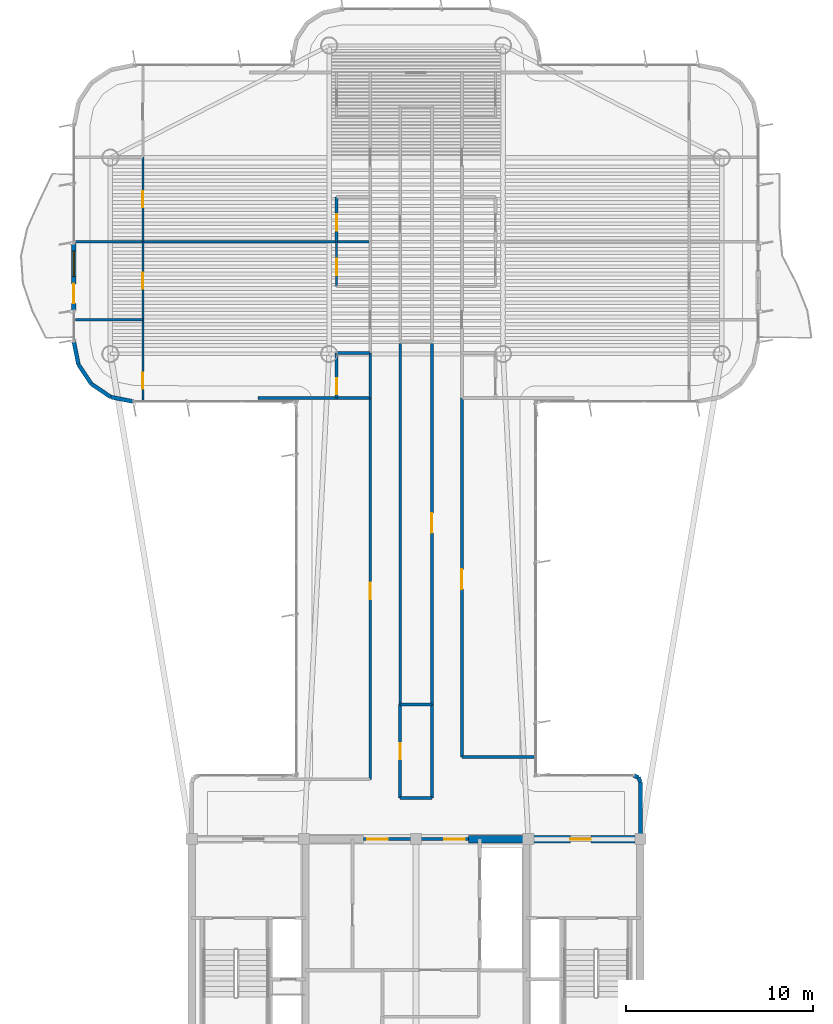
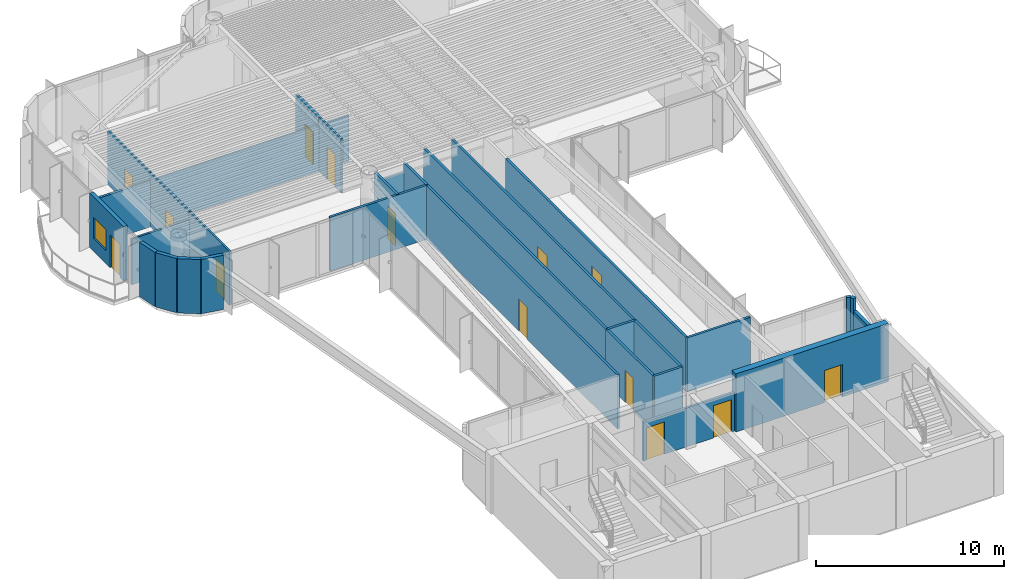
# One storey, part 11 of 16: 30 walls, 14 doors, 1 window, 15 openings.
"""IFC4 building model written with IfcOpenShell, lengths in metres."""

from ifc_helpers import new_model, si_unit, direction, frame, frame_2d, origin, origin_2d, place, context, subcontext, project, spatial, rectangle, extrude, source, transform, mapped, material, layer, layer_set, type_object, element, fill, save


model = new_model("IFC4")

# Units and contexts
model_context = context("Model", 3, precision=1e-05, world=origin(), true_north=direction((0.0, 1.0)))
body_context = subcontext(model_context, "Body", "Model", "MODEL_VIEW")
ifc_project = project(units=[si_unit("LENGTHUNIT", "METRE"), si_unit("AREAUNIT", "SQUARE_METRE"), si_unit("VOLUMEUNIT", "CUBIC_METRE"), si_unit("PLANEANGLEUNIT", "RADIAN"), si_unit("MASSUNIT", "GRAM", prefix="KILO")], contexts=[model_context])

# Site, building, storey
site_placement = place(None, origin())
site = spatial("IfcSite", under=ifc_project, at=site_placement, CompositionType="ELEMENT")
building_placement = place(site_placement, origin())
building = spatial("IfcBuilding", under=site, at=building_placement, Name="Brelvock Crest Care Tower", CompositionType="ELEMENT")
storey_placement = place(building_placement, frame((0.0, 0.0, 230.580078125)))
storey = spatial("IfcBuildingStorey", under=building, at=storey_placement, Name="L58", CompositionType="ELEMENT", Elevation=230.580078125)

# Wall, opening, door
ifc_material_1 = material(Name="Concrete S65 (65 MPa)", Category="concrete")
ifc_layer_1 = layer(ifc_material_1, 0.39990234375, Name="WL-CS4")
ifc_layer_set_1 = layer_set([ifc_layer_1], Name="Concrete S65 (65 MPa)")
wall_type_1 = type_object("IfcWallType", Name="WL-CS4", PredefinedType="SHEAR", material=ifc_layer_set_1)
wall_1_placement = place(storey_placement, frame((38.800048828125, 18.0, 0.0), z_axis=(0.0, 0.0, 1.0), x_axis=(1.0, 0.0, 0.0)))
wall_1 = element("IfcWall", 1, at=wall_1_placement, inside=storey, type_object=wall_type_1, Name="L58 Core North-East Shear Wall", PredefinedType="SHEAR", context=body_context, shape_type="SweptSolid", body=[
    extrude(rectangle(XDim=9.39990234375, YDim=0.39990234375, at=frame_2d((4.699951171875, 0.0))), origin(), (0.0, 0.0, 1.0), 3.780029296875),
])
opening_1_placement = place(wall_1_placement, frame((5.449951171875, 0.0, 0.0)))
opening_1 = element("IfcOpeningElement", 2, at=opening_1_placement, cuts=wall_1, Name="Opening FD-1", PredefinedType="OPENING", context=body_context, shape_type="SweptSolid", body=[
    extrude(rectangle(XDim=1.10009765625, YDim=2.10009765625, at=origin_2d()), frame((0.550048828125, 0.2099609375, 1.050048828125), z_axis=(0.0, -1.0, 0.0), x_axis=(1.0, 0.0, 0.0)), (0.0, 0.0, 1.0), 0.419921875),
])
ifc_material_2 = material(Name="Steel Grade 350", Category="steel")
door_type_1 = type_object("IfcDoorType", Name="DR-FFL1", OperationType="NOTDEFINED", PredefinedType="DOOR", material=ifc_material_2)
shared_shape_1 = source(origin(), body_context, "Body", "SweptSolid", [
    extrude(rectangle(XDim=1.10009765625, YDim=2.10009765625, at=origin_2d()), frame((0.550048828125, 0.02490234375, 1.050048828125), z_axis=(0.0, -1.0, 0.0), x_axis=(1.0, 0.0, 0.0)), (0.0, 0.0, 1.0), 0.050048828125),
])
door_1_placement = place(opening_1_placement, origin())
door_1 = element("IfcDoor", 3, at=door_1_placement, inside=storey, type_object=door_type_1, Name="L58 Firefighting Lobby FFL-2 Exit Door", OperationType="SINGLE_SWING_RIGHT", OverallHeight=2.10009765625, OverallWidth=1.10009765625, PredefinedType="DOOR", context=body_context, shape_type="MappedRepresentation", body=[
    mapped(shared_shape_1, transform((0.0, 0.0, 0.0), x_axis=(1.0, 0.0, 0.0), y_axis=(0.0, 1.0, 0.0), z_axis=(0.0, 0.0, 1.0), scale=1.0)),
])
fill(opening_1, door_1)

# Wall, openings, door, window
ifc_material_3 = material(Name="Precast concrete N40 (40 MPa)", Category="concrete")
ifc_layer_2 = layer(ifc_material_3, 0.239990234375, Name="WL-EX1")
ifc_layer_set_2 = layer_set([ifc_layer_2], Name="Precast concrete N40 (40 MPa)")
wall_type_2 = type_object("IfcWallType", Name="WL-EX1", PredefinedType="SOLIDWALL", material=ifc_layer_set_2)
wall_2_placement = place(storey_placement, frame((17.699951171875, 46.25, 0.0), z_axis=(0.0, 0.0, 1.0), x_axis=(0.0, 1.0, 0.0)))
wall_2 = element("IfcWall", 4, at=wall_2_placement, inside=storey, type_object=wall_type_2, Name="L58 Exterior Spandrel Wall WL-BAL-L58-W", PredefinedType="SOLIDWALL", context=body_context, shape_type="SweptSolid", body=[
    extrude(rectangle(XDim=3.60009765625, YDim=0.239990234375, at=frame_2d((1.800048828125, 0.0))), origin(), (0.0, 0.0, 1.0), 3.530029296875),
])
opening_2_placement = place(wall_2_placement, frame((0.39990234375, 0.0, 0.0)))
opening_2 = element("IfcOpeningElement", 5, at=opening_2_placement, cuts=wall_2, Name="Opening BD-1", PredefinedType="OPENING", context=body_context, shape_type="SweptSolid", body=[
    extrude(rectangle(XDim=1.050048828125, YDim=2.14990234375, at=origin_2d()), frame((0.52490234375, 0.1298828125, 1.074951171875), z_axis=(0.0, -1.0, 0.0), x_axis=(1.0, 0.0, 0.0)), (0.0, 0.0, 1.0), 0.260009765625),
])
opening_3_placement = place(wall_2_placement, frame((1.85009765625, 0.0, 0.85009765625)))
opening_3 = element("IfcOpeningElement", 6, at=opening_3_placement, cuts=wall_2, Name="Opening W-01", PredefinedType="OPENING", context=body_context, shape_type="SweptSolid", body=[
    extrude(rectangle(XDim=1.35009765625, YDim=1.35009765625, at=origin_2d()), frame((0.675048828125, 0.1298828125, 0.675048828125), z_axis=(0.0, -1.0, 0.0), x_axis=(1.0, 0.0, 0.0)), (0.0, 0.0, 1.0), 0.260009765625),
])
ifc_material_4 = material(Name="Dark Glass Double Glazed Low-E", Category="glass")
door_type_2 = type_object("IfcDoorType", Name="DR-BAL1", OperationType="NOTDEFINED", PredefinedType="DOOR", material=ifc_material_4)
shared_shape_2 = source(origin(), body_context, "Body", "SweptSolid", [
    extrude(rectangle(XDim=1.050048828125, YDim=2.14990234375, at=origin_2d()), frame((0.52490234375, 0.02490234375, 1.074951171875), z_axis=(0.0, -1.0, 0.0), x_axis=(1.0, 0.0, 0.0)), (0.0, 0.0, 1.0), 0.050048828125),
])
door_2_placement = place(opening_2_placement, origin())
door_2 = element("IfcDoor", 7, at=door_2_placement, inside=storey, type_object=door_type_2, Name="L58 W Wave Balcony Glazed Door", OperationType="SINGLE_SWING_LEFT", OverallHeight=2.14990234375, OverallWidth=1.050048828125, PredefinedType="DOOR", context=body_context, shape_type="MappedRepresentation", body=[
    mapped(shared_shape_2, transform((0.0, 0.0, 0.0), x_axis=(1.0, 0.0, 0.0), y_axis=(0.0, 1.0, 0.0), z_axis=(0.0, 0.0, 1.0), scale=1.0)),
])
fill(opening_2, door_2)
window_type = type_object("IfcWindowType", Name="WN-EX1", PartitioningType="SINGLE_PANEL", PredefinedType="WINDOW", material=ifc_material_4)
shared_shape_3 = source(origin(), body_context, "Body", "SweptSolid", [
    extrude(rectangle(XDim=1.35009765625, YDim=1.35009765625, at=origin_2d()), frame((0.675048828125, 0.030029296875, 0.675048828125), z_axis=(0.0, -1.0, 0.0), x_axis=(1.0, 0.0, 0.0)), (0.0, 0.0, 1.0), 0.06005859375),
])
window_placement = place(opening_3_placement, origin())
window = element("IfcWindow", 8, at=window_placement, inside=storey, type_object=window_type, Name="L58 W Suite Casement Window", OverallHeight=1.35009765625, OverallWidth=1.35009765625, PartitioningType="SINGLE_PANEL", PredefinedType="WINDOW", context=body_context, shape_type="MappedRepresentation", body=[
    mapped(shared_shape_3, transform((0.0, 0.0, 0.0), x_axis=(1.0, 0.0, 0.0), y_axis=(0.0, 1.0, 0.0), z_axis=(0.0, 0.0, 1.0), scale=1.0)),
])
fill(opening_3, window)

# Walls
ifc_layer_3 = layer(ifc_material_3, 0.215087890625, Name="WL-EX2")
ifc_layer_set_3 = layer_set([ifc_layer_3], Name="Precast concrete N40 (40 MPa)")
wall_type_3 = type_object("IfcWallType", Name="WL-EX2", PredefinedType="SOLIDWALL", material=ifc_layer_set_3)
wall_3_placement = place(storey_placement, frame((47.8974609375, 21.297607421875, 0.0), z_axis=(0.0, 0.0, 1.0), x_axis=(0.382673670509, -0.923883575944, 0.0)))
element("IfcWall", 9, at=wall_3_placement, inside=storey, type_object=wall_type_3, Name="L58 Rounded Corner Wall 00", PredefinedType="SOLIDWALL", context=body_context, shape_type="SweptSolid", body=[
    extrude(rectangle(XDim=0.26806640625, YDim=0.215087890625, at=frame_2d((0.134033203125, 0.0))), origin(), (0.0, 0.0, 1.0), 3.530029296875),
])
wall_4_placement = place(storey_placement, frame((48.0, 21.050048828125, 0.0), z_axis=(0.0, 0.0, 1.0), x_axis=(0.0, -1.0, 0.0)))
element("IfcWall", 10, at=wall_4_placement, inside=storey, type_object=wall_type_3, Name="L58 Rounded Corner Wall 01", PredefinedType="SOLIDWALL", context=body_context, shape_type="SweptSolid", body=[
    extrude(rectangle(XDim=2.77001953125, YDim=0.215087890625, at=frame_2d((1.385009765625, 0.0))), origin(), (0.0, 0.0, 1.0), 2.718017578125),
])
for number, where, z_axis, x_axis, name in (
    (11, (20.89990234375, 41.39990234375, 0.0), (0.0, 0.0, 1.0), (-0.980775717779, 0.195138390419, 0.0), "L58 Rounded Corner Wall 13"),
    (12, (19.67529296875, 41.6435546875, 0.0), (0.0, 0.0, 1.0), (-0.831387912822, 0.555692485475, 0.0), "L58 Rounded Corner Wall 14"),
    (13, (18.63720703125, 42.33740234375, 0.0), (0.0, 0.0, 1.0), (-0.555557312883, 0.831478245117, 0.0), "L58 Rounded Corner Wall 15"),
    (14, (17.943603515625, 43.37548828125, 0.0), (0.0, 0.0, 1.0), (-0.195138390419, 0.980775717779, 0.0), "L58 Rounded Corner Wall 16"),
):
    element("IfcWall", number, at=place(storey_placement, frame(where, z_axis=z_axis, x_axis=x_axis)), inside=storey, type_object=wall_type_3, Name=name, PredefinedType="SOLIDWALL", context=body_context, shape_type="SweptSolid", body=[
        extrude(rectangle(XDim=1.24853515625, YDim=0.215087890625, at=frame_2d((0.624267578125, 0.0))), origin(), (0.0, 0.0, 1.0), 3.530029296875),
    ])
wall_5_placement = place(storey_placement, frame((47.64990234375, 21.39990234375, 0.0), z_axis=(0.0, 0.0, 1.0), x_axis=(0.924205486139, -0.381895560841, 0.0)))
element("IfcWall", 15, at=wall_5_placement, inside=storey, type_object=wall_type_3, Name="L58 Rounded Corner Wall 47", PredefinedType="SOLIDWALL", context=body_context, shape_type="SweptSolid", body=[
    extrude(rectangle(XDim=0.267822265625, YDim=0.215087890625, at=frame_2d((0.1337890625, 0.0))), origin(), (0.0, 0.0, 1.0), 3.530029296875),
])

# Wall, openings, doors
ifc_material_5 = material(Name="Masonry Blockwork Acoustic Partition", Category="masonry")
ifc_layer_4 = layer(ifc_material_5, 0.14990234375, Name="WL-INT1")
ifc_layer_set_4 = layer_set([ifc_layer_4], Name="Masonry Blockwork Acoustic Partition")
wall_type_4 = type_object("IfcWallType", Name="WL-INT1", PredefinedType="PARTITIONING", material=ifc_layer_set_4)
wall_6_placement = place(storey_placement, frame((33.199951171875, 18.0, 0.0), z_axis=(0.0, 0.0, 1.0), x_axis=(1.0, 0.0, 0.0)))
wall_6 = element("IfcWall", 16, at=wall_6_placement, inside=storey, type_object=wall_type_4, Name="L58 Interior Wall WL-CORE-NPORT-L58", PredefinedType="PARTITIONING", context=body_context, shape_type="SweptSolid", body=[
    extrude(rectangle(XDim=5.60009765625, YDim=0.14990234375, at=frame_2d((2.800048828125, 0.0))), origin(), (0.0, 0.0, 1.0), 2.514892578125),
])
opening_4_placement = place(wall_6_placement, frame((0.18994140625, 0.0, 0.0)))
opening_4 = element("IfcOpeningElement", 17, at=opening_4_placement, cuts=wall_6, Name="Opening FD-1", PredefinedType="OPENING", context=body_context, shape_type="SweptSolid", body=[
    extrude(rectangle(XDim=1.10009765625, YDim=2.10009765625, at=origin_2d()), frame((0.550048828125, 0.0849609375, 1.050048828125), z_axis=(0.0, -1.0, 0.0), x_axis=(1.0, 0.0, 0.0)), (0.0, 0.0, 1.0), 0.169921875),
])
opening_5_placement = place(wall_6_placement, frame((4.31005859375, 0.0, 0.0)))
opening_5 = element("IfcOpeningElement", 18, at=opening_5_placement, cuts=wall_6, Name="Opening FD-1", PredefinedType="OPENING", context=body_context, shape_type="SweptSolid", body=[
    extrude(rectangle(XDim=1.10009765625, YDim=2.10009765625, at=origin_2d()), frame((0.550048828125, 0.0849609375, 1.050048828125), z_axis=(0.0, -1.0, 0.0), x_axis=(1.0, 0.0, 0.0)), (0.0, 0.0, 1.0), 0.169921875),
])
door_3_placement = place(opening_4_placement, origin())
door_3 = element("IfcDoor", 19, at=door_3_placement, inside=storey, type_object=door_type_1, Name="L58 Lift Lobby North Smoke Door West", OperationType="SINGLE_SWING_LEFT", OverallHeight=2.10009765625, OverallWidth=1.10009765625, PredefinedType="DOOR", context=body_context, shape_type="MappedRepresentation", body=[
    mapped(shared_shape_1, transform((0.0, 0.0, 0.0), x_axis=(1.0, 0.0, 0.0), y_axis=(0.0, 1.0, 0.0), z_axis=(0.0, 0.0, 1.0), scale=1.0)),
])
fill(opening_4, door_3)
door_4_placement = place(opening_5_placement, origin())
door_4 = element("IfcDoor", 20, at=door_4_placement, inside=storey, type_object=door_type_1, Name="L58 Lift Lobby North Smoke Door East", OperationType="SINGLE_SWING_RIGHT", OverallHeight=2.10009765625, OverallWidth=1.10009765625, PredefinedType="DOOR", context=body_context, shape_type="MappedRepresentation", body=[
    mapped(shared_shape_1, transform((0.0, 0.0, 0.0), x_axis=(1.0, 0.0, 0.0), y_axis=(0.0, 1.0, 0.0), z_axis=(0.0, 0.0, 1.0), scale=1.0)),
])
fill(opening_5, door_4)

# Walls
wall_7_placement = place(storey_placement, frame((38.449951171875, 22.39990234375, 0.0), z_axis=(0.0, 0.0, 1.0), x_axis=(1.0, 0.0, 0.0)))
element("IfcWall", 21, at=wall_7_placement, inside=storey, type_object=wall_type_4, Name="L58 Interior Wall WL-BX-L58-THRE-S", PredefinedType="PARTITIONING", context=body_context, shape_type="SweptSolid", body=[
    extrude(rectangle(XDim=3.873291015625, YDim=0.14990234375, at=frame_2d((1.9365234375, 0.0))), origin(), (0.0, 0.0, 1.0), 3.5),
])
wall_8_placement = place(storey_placement, frame((27.557861328125, 41.60009765625, 0.0), z_axis=(0.0, 0.0, 1.0), x_axis=(1.0, 0.0, 0.0)))
element("IfcWall", 22, at=wall_8_placement, inside=storey, type_object=wall_type_4, Name="L58 Interior Wall WL-BX-L58-FL-WF1-S2", PredefinedType="PARTITIONING", context=body_context, shape_type="SweptSolid", body=[
    extrude(rectangle(XDim=5.9921875, YDim=0.14990234375, at=frame_2d((2.99609375, 0.0))), origin(), (0.0, 0.0, 1.0), 3.5),
])
wall_9_placement = place(storey_placement, frame((17.780029296875, 49.951904296875, 0.0), z_axis=(0.0, 0.0, 1.0), x_axis=(1.0, 0.0, 0.0)))
element("IfcWall", 23, at=wall_9_placement, inside=storey, type_object=wall_type_4, Name="L58 Interior Wall WL-BX-L58-FL-WF1-N", PredefinedType="PARTITIONING", context=body_context, shape_type="SweptSolid", body=[
    extrude(rectangle(XDim=15.77001953125, YDim=0.14990234375, at=frame_2d((7.885009765625, 0.0))), origin(), (0.0, 0.0, 1.0), 2.98193359375),
])

# Wall, opening, door
wall_10_placement = place(storey_placement, frame((33.550048828125, 21.199951171875, 0.0), z_axis=(0.0, 0.0, 1.0), x_axis=(0.0, 1.0, 0.0)))
wall_10 = element("IfcWall", 24, at=wall_10_placement, inside=storey, type_object=wall_type_4, Name="L58 Interior Wall WL-RM-L58-THRW", PredefinedType="PARTITIONING", context=body_context, shape_type="SweptSolid", body=[
    extrude(rectangle(XDim=20.400146484375, YDim=0.14990234375, at=frame_2d((10.2001953125, 0.0))), origin(), (0.0, 0.0, 1.0), 3.5),
])
opening_6_placement = place(wall_10_placement, frame((9.639892578125, 0.0, 0.0)))
opening_6 = element("IfcOpeningElement", 25, at=opening_6_placement, cuts=wall_10, Name="Opening ID-1", PredefinedType="OPENING", context=body_context, shape_type="SweptSolid", body=[
    extrude(rectangle(XDim=0.860107421875, YDim=2.10009765625, at=origin_2d()), frame((0.43017578125, 0.0849609375, 1.050048828125), z_axis=(0.0, -1.0, 0.0), x_axis=(1.0, 0.0, 0.0)), (0.0, 0.0, 1.0), 0.169921875),
])
ifc_material_6 = material(Name="Engineered Hardwood Timber", Category="wood")
door_type_3 = type_object("IfcDoorType", Name="DR-INT1", OperationType="NOTDEFINED", PredefinedType="DOOR", material=ifc_material_6)
shared_shape_4 = source(origin(), body_context, "Body", "SweptSolid", [
    extrude(rectangle(XDim=0.860107421875, YDim=2.10009765625, at=origin_2d()), frame((0.43017578125, 0.02490234375, 1.050048828125), z_axis=(0.0, -1.0, 0.0), x_axis=(1.0, 0.0, 0.0)), (0.0, 0.0, 1.0), 0.050048828125),
])
door_5_placement = place(opening_6_placement, origin())
door_5 = element("IfcDoor", 26, at=door_5_placement, inside=storey, type_object=door_type_3, Name="L58 Quiet Family Consultation Room Door THRW", OperationType="SINGLE_SWING_LEFT", OverallHeight=2.10009765625, OverallWidth=0.860107421875, PredefinedType="DOOR", context=body_context, shape_type="MappedRepresentation", body=[
    mapped(shared_shape_4, transform((0.0, 0.0, 0.0), x_axis=(1.0, 0.0, 0.0), y_axis=(0.0, 1.0, 0.0), z_axis=(0.0, 0.0, 1.0), scale=1.0)),
])
fill(opening_6, door_5)

# Wall
wall_11_placement = place(storey_placement, frame((35.14990234375, 25.199951171875, 0.0), z_axis=(0.0, 0.0, 1.0), x_axis=(0.0, 1.0, 0.0)))
element("IfcWall", 27, at=wall_11_placement, inside=storey, type_object=wall_type_4, Name="L58 Interior Wall WL-BX-L58-ISNS-W", PredefinedType="PARTITIONING", context=body_context, shape_type="SweptSolid", body=[
    extrude(rectangle(XDim=19.420166015625, YDim=0.14990234375, at=frame_2d((9.7099609375, 0.0))), origin(), (0.0, 0.0, 1.0), 3.5),
])

# Wall, opening, door
wall_12_placement = place(storey_placement, frame((36.85009765625, 25.199951171875, 0.0), z_axis=(0.0, 0.0, 1.0), x_axis=(0.0, 1.0, 0.0)))
wall_12 = element("IfcWall", 28, at=wall_12_placement, inside=storey, type_object=wall_type_4, Name="L58 Interior Wall WL-RM-L58-ISNS", PredefinedType="PARTITIONING", context=body_context, shape_type="SweptSolid", body=[
    extrude(rectangle(XDim=19.420166015625, YDim=0.14990234375, at=frame_2d((9.7099609375, 0.0))), origin(), (0.0, 0.0, 1.0), 3.5),
])
opening_7_placement = place(wall_12_placement, frame((9.18505859375, 0.0, 0.0)))
opening_7 = element("IfcOpeningElement", 29, at=opening_7_placement, cuts=wall_12, Name="Opening CLD-1", PredefinedType="OPENING", context=body_context, shape_type="SweptSolid", body=[
    extrude(rectangle(XDim=1.050048828125, YDim=2.10009765625, at=origin_2d()), frame((0.52490234375, 0.0849609375, 1.050048828125), z_axis=(0.0, -1.0, 0.0), x_axis=(1.0, 0.0, 0.0)), (0.0, 0.0, 1.0), 0.169921875),
])
door_type_4 = type_object("IfcDoorType", Name="DR-CLN1", OperationType="NOTDEFINED", PredefinedType="DOOR", material=ifc_material_6)
shared_shape_5 = source(origin(), body_context, "Body", "SweptSolid", [
    extrude(rectangle(XDim=1.050048828125, YDim=2.10009765625, at=origin_2d()), frame((0.52490234375, 0.02490234375, 1.050048828125), z_axis=(0.0, -1.0, 0.0), x_axis=(1.0, 0.0, 0.0)), (0.0, 0.0, 1.0), 0.050048828125),
])
door_6_placement = place(opening_7_placement, origin())
door_6 = element("IfcDoor", 30, at=door_6_placement, inside=storey, type_object=door_type_4, Name="L58 Care Concierge and Triage Station Door ISNS", OperationType="SINGLE_SWING_LEFT", OverallHeight=2.10009765625, OverallWidth=1.050048828125, PredefinedType="DOOR", context=body_context, shape_type="MappedRepresentation", body=[
    mapped(shared_shape_5, transform((0.0, 0.0, 0.0), x_axis=(1.0, 0.0, 0.0), y_axis=(0.0, 1.0, 0.0), z_axis=(0.0, 0.0, 1.0), scale=1.0)),
])
fill(opening_7, door_6)

wall_13_placement = place(storey_placement, frame((38.449951171875, 22.39990234375, 0.0), z_axis=(0.0, 0.0, 1.0), x_axis=(0.0, 1.0, 0.0)))
wall_13 = element("IfcWall", 31, at=wall_13_placement, inside=storey, type_object=wall_type_4, Name="L58 Interior Wall WL-RM-L58-THRE", PredefinedType="PARTITIONING", context=body_context, shape_type="SweptSolid", body=[
    extrude(rectangle(XDim=19.2001953125, YDim=0.14990234375, at=frame_2d((9.60009765625, 0.0))), origin(), (0.0, 0.0, 1.0), 3.5),
])
opening_8_placement = place(wall_13_placement, frame((8.97509765625, 0.0, 0.0)))
opening_8 = element("IfcOpeningElement", 32, at=opening_8_placement, cuts=wall_13, Name="Opening CLD-1", PredefinedType="OPENING", context=body_context, shape_type="SweptSolid", body=[
    extrude(rectangle(XDim=1.050048828125, YDim=2.10009765625, at=origin_2d()), frame((0.52490234375, 0.0849609375, 1.050048828125), z_axis=(0.0, -1.0, 0.0), x_axis=(1.0, 0.0, 0.0)), (0.0, 0.0, 1.0), 0.169921875),
])
door_7_placement = place(opening_8_placement, origin())
door_7 = element("IfcDoor", 33, at=door_7_placement, inside=storey, type_object=door_type_4, Name="L58 Allied Health Therapy Room Door THRE", OperationType="SINGLE_SWING_LEFT", OverallHeight=2.10009765625, OverallWidth=1.050048828125, PredefinedType="DOOR", context=body_context, shape_type="MappedRepresentation", body=[
    mapped(shared_shape_5, transform((0.0, 0.0, 0.0), x_axis=(1.0, 0.0, 0.0), y_axis=(0.0, 1.0, 0.0), z_axis=(0.0, 0.0, 1.0), scale=1.0)),
])
fill(opening_8, door_7)

# Wall
ifc_material_7 = material(Name="Gypsum Plasterboard Partition", Category="gypsum")
ifc_layer_5 = layer(ifc_material_7, 0.1201171875, Name="WL-INT2")
ifc_layer_set_5 = layer_set([ifc_layer_5], Name="Gypsum Plasterboard Partition")
wall_type_5 = type_object("IfcWallType", Name="WL-INT2", PredefinedType="PARTITIONING", material=ifc_layer_set_5)
wall_14_placement = place(storey_placement, frame((17.780029296875, 45.77587890625, 0.0), z_axis=(0.0, 0.0, 1.0), x_axis=(1.0, 0.0, 0.0)))
element("IfcWall", 34, at=wall_14_placement, inside=storey, type_object=wall_type_5, Name="L58 Interior Wall WL-UBSP-L58-WF1", PredefinedType="PARTITIONING", context=body_context, shape_type="SweptSolid", body=[
    extrude(rectangle(XDim=3.60986328125, YDim=0.1201171875, at=frame_2d((1.804931640625, 0.0))), origin(), (0.0, 0.0, 1.0), 2.98193359375),
])

# Wall, opening, door
wall_15_placement = place(storey_placement, frame((21.389892578125, 41.47998046875, 0.0), z_axis=(0.0, 0.0, 1.0), x_axis=(0.0, 1.0, 0.0)))
wall_15 = element("IfcWall", 35, at=wall_15_placement, inside=storey, type_object=wall_type_5, Name="L58 Interior Wall WL-UBD1-L58-WF1", PredefinedType="PARTITIONING", context=body_context, shape_type="SweptSolid", body=[
    extrude(rectangle(XDim=4.2958984375, YDim=0.1201171875, at=frame_2d((2.14794921875, 0.0))), origin(), (0.0, 0.0, 1.0), 3.5),
])
opening_9_placement = place(wall_15_placement, frame((0.597900390625, 0.0, 0.0)))
opening_9 = element("IfcOpeningElement", 36, at=opening_9_placement, cuts=wall_15, Name="Opening ID-1", PredefinedType="OPENING", context=body_context, shape_type="SweptSolid", body=[
    extrude(rectangle(XDim=0.860107421875, YDim=2.10009765625, at=origin_2d()), frame((0.43017578125, 0.070068359375, 1.050048828125), z_axis=(0.0, -1.0, 0.0), x_axis=(1.0, 0.0, 0.0)), (0.0, 0.0, 1.0), 0.14013671875),
])
door_8_placement = place(opening_9_placement, origin())
door_8 = element("IfcDoor", 37, at=door_8_placement, inside=storey, type_object=door_type_3, Name="L58 Primary Bedroom Door WF1", OperationType="SINGLE_SWING_RIGHT", OverallHeight=2.10009765625, OverallWidth=0.860107421875, PredefinedType="DOOR", context=body_context, shape_type="MappedRepresentation", body=[
    mapped(shared_shape_4, transform((0.0, 0.0, 0.0), x_axis=(1.0, 0.0, 0.0), y_axis=(0.0, 1.0, 0.0), z_axis=(0.0, 0.0, 1.0), scale=1.0)),
])
fill(opening_9, door_8)

wall_16_placement = place(storey_placement, frame((21.389892578125, 45.77587890625, 0.0), z_axis=(0.0, 0.0, 1.0), x_axis=(0.0, 1.0, 0.0)))
wall_16 = element("IfcWall", 38, at=wall_16_placement, inside=storey, type_object=wall_type_5, Name="L58 Interior Wall WL-UBD2-L58-WF1", PredefinedType="PARTITIONING", context=body_context, shape_type="SweptSolid", body=[
    extrude(rectangle(XDim=4.176025390625, YDim=0.1201171875, at=frame_2d((2.087890625, 0.0))), origin(), (0.0, 0.0, 1.0), 3.5),
])
opening_10_placement = place(wall_16_placement, frame((1.657958984375, 0.0, 0.0)))
opening_10 = element("IfcOpeningElement", 39, at=opening_10_placement, cuts=wall_16, Name="Opening ID-1", PredefinedType="OPENING", context=body_context, shape_type="SweptSolid", body=[
    extrude(rectangle(XDim=0.860107421875, YDim=2.10009765625, at=origin_2d()), frame((0.43017578125, 0.070068359375, 1.050048828125), z_axis=(0.0, -1.0, 0.0), x_axis=(1.0, 0.0, 0.0)), (0.0, 0.0, 1.0), 0.14013671875),
])
door_9_placement = place(opening_10_placement, origin())
door_9 = element("IfcDoor", 40, at=door_9_placement, inside=storey, type_object=door_type_3, Name="L58 Second Room Door WF1", OperationType="SINGLE_SWING_LEFT", OverallHeight=2.10009765625, OverallWidth=0.860107421875, PredefinedType="DOOR", context=body_context, shape_type="MappedRepresentation", body=[
    mapped(shared_shape_4, transform((0.0, 0.0, 0.0), x_axis=(1.0, 0.0, 0.0), y_axis=(0.0, 1.0, 0.0), z_axis=(0.0, 0.0, 1.0), scale=1.0)),
])
fill(opening_10, door_9)

wall_17_placement = place(storey_placement, frame((21.389892578125, 49.951904296875, 0.0), z_axis=(0.0, 0.0, 1.0), x_axis=(0.0, 1.0, 0.0)))
wall_17 = element("IfcWall", 41, at=wall_17_placement, inside=storey, type_object=wall_type_5, Name="L58 Interior Wall WL-UBD1-L58-WF2", PredefinedType="PARTITIONING", context=body_context, shape_type="SweptSolid", body=[
    extrude(rectangle(XDim=4.524169921875, YDim=0.1201171875, at=frame_2d((2.26220703125, 0.0))), origin(), (0.0, 0.0, 1.0), 3.5),
])
opening_11_placement = place(wall_17_placement, frame((1.83203125, 0.0, 0.0)))
opening_11 = element("IfcOpeningElement", 42, at=opening_11_placement, cuts=wall_17, Name="Opening ID-1", PredefinedType="OPENING", context=body_context, shape_type="SweptSolid", body=[
    extrude(rectangle(XDim=0.860107421875, YDim=2.10009765625, at=origin_2d()), frame((0.43017578125, 0.070068359375, 1.050048828125), z_axis=(0.0, -1.0, 0.0), x_axis=(1.0, 0.0, 0.0)), (0.0, 0.0, 1.0), 0.14013671875),
])
door_10_placement = place(opening_11_placement, origin())
door_10 = element("IfcDoor", 43, at=door_10_placement, inside=storey, type_object=door_type_3, Name="L58 Primary Bedroom Door WF2", OperationType="SINGLE_SWING_RIGHT", OverallHeight=2.10009765625, OverallWidth=0.860107421875, PredefinedType="DOOR", context=body_context, shape_type="MappedRepresentation", body=[
    mapped(shared_shape_4, transform((0.0, 0.0, 0.0), x_axis=(1.0, 0.0, 0.0), y_axis=(0.0, 1.0, 0.0), z_axis=(0.0, 0.0, 1.0), scale=1.0)),
])
fill(opening_11, door_10)

wall_18_placement = place(storey_placement, frame((31.75, 47.552001953125, 0.0), z_axis=(0.0, 0.0, 1.0), x_axis=(0.0, 1.0, 0.0)))
wall_18 = element("IfcWall", 44, at=wall_18_placement, inside=storey, type_object=wall_type_5, Name="L58 Interior Wall WL-UKIT1-L58-WF1", PredefinedType="PARTITIONING", context=body_context, shape_type="SweptSolid", body=[
    extrude(rectangle(XDim=2.39990234375, YDim=0.1201171875, at=frame_2d((1.199951171875, 0.0))), origin(), (0.0, 0.0, 1.0), 3.5),
])
opening_12_placement = place(wall_18_placement, frame((0.6201171875, 0.0, 0.0)))
opening_12 = element("IfcOpeningElement", 45, at=opening_12_placement, cuts=wall_18, Name="Opening ID-1", PredefinedType="OPENING", context=body_context, shape_type="SweptSolid", body=[
    extrude(rectangle(XDim=0.860107421875, YDim=2.10009765625, at=origin_2d()), frame((0.43017578125, 0.070068359375, 1.050048828125), z_axis=(0.0, -1.0, 0.0), x_axis=(1.0, 0.0, 0.0)), (0.0, 0.0, 1.0), 0.14013671875),
])
door_11_placement = place(opening_12_placement, origin())
door_11 = element("IfcDoor", 46, at=door_11_placement, inside=storey, type_object=door_type_3, Name="L58 Kitchen Door WF1", OperationType="SINGLE_SWING_LEFT", OverallHeight=2.10009765625, OverallWidth=0.860107421875, PredefinedType="DOOR", context=body_context, shape_type="MappedRepresentation", body=[
    mapped(shared_shape_4, transform((0.0, 0.0, 0.0), x_axis=(1.0, 0.0, 0.0), y_axis=(0.0, 1.0, 0.0), z_axis=(0.0, 0.0, 1.0), scale=1.0)),
])
fill(opening_12, door_11)

# Walls
ifc_layer_6 = layer(ifc_material_7, 0.159912109375, Name="WL-PLM1")
ifc_layer_set_6 = layer_set([ifc_layer_6], Name="Gypsum Plasterboard Partition")
wall_type_6 = type_object("IfcWallType", Name="WL-PLM1", PredefinedType="PLUMBINGWALL", material=ifc_layer_set_6)
for number, where, z_axis, x_axis, name in (
    (47, (35.14990234375, 20.199951171875, 0.0), (0.0, 0.0, 1.0), (1.0, 0.0, 0.0), "L58 Interior Wall WL-BX-L58-ISWC-S"),
    (48, (35.14990234375, 25.199951171875, 0.0), (0.0, 0.0, 1.0), (1.0, 0.0, 0.0), "L58 Interior Wall WL-BX-L58-ISNS-S"),
):
    element("IfcWall", number, at=place(storey_placement, frame(where, z_axis=z_axis, x_axis=x_axis)), inside=storey, type_object=wall_type_6, Name=name, PredefinedType="PLUMBINGWALL", context=body_context, shape_type="SweptSolid", body=[
        extrude(rectangle(XDim=1.7001953125, YDim=0.159912109375, at=frame_2d((0.85009765625, 0.0))), origin(), (0.0, 0.0, 1.0), 3.5),
    ])
wall_19_placement = place(storey_placement, frame((31.75, 44.0, 0.0), z_axis=(0.0, 0.0, 1.0), x_axis=(1.0, 0.0, 0.0)))
element("IfcWall", 49, at=wall_19_placement, inside=storey, type_object=wall_type_6, Name="L58 Interior Wall WL-UBTH2-L58-WF1", PredefinedType="PLUMBINGWALL", context=body_context, shape_type="SweptSolid", body=[
    extrude(rectangle(XDim=1.800048828125, YDim=0.159912109375, at=frame_2d((0.89990234375, 0.0))), origin(), (0.0, 0.0, 1.0), 2.90283203125),
])

# Wall, opening, door
wall_20_placement = place(storey_placement, frame((31.75, 41.60009765625, 0.0), z_axis=(0.0, 0.0, 1.0), x_axis=(0.0, 1.0, 0.0)))
wall_20 = element("IfcWall", 50, at=wall_20_placement, inside=storey, type_object=wall_type_6, Name="L58 Interior Wall WL-UBTH1-L58-WF1", PredefinedType="PLUMBINGWALL", context=body_context, shape_type="SweptSolid", body=[
    extrude(rectangle(XDim=2.39990234375, YDim=0.159912109375, at=frame_2d((1.199951171875, 0.0))), origin(), (0.0, 0.0, 1.0), 3.5),
])
opening_13_placement = place(wall_20_placement, frame((0.199951171875, 0.0, 0.0)))
opening_13 = element("IfcOpeningElement", 51, at=opening_13_placement, cuts=wall_20, Name="Opening WD-1", PredefinedType="OPENING", context=body_context, shape_type="SweptSolid", body=[
    extrude(rectangle(XDim=0.860107421875, YDim=2.10009765625, at=origin_2d()), frame((0.43017578125, 0.08984375, 1.050048828125), z_axis=(0.0, -1.0, 0.0), x_axis=(1.0, 0.0, 0.0)), (0.0, 0.0, 1.0), 0.179931640625),
])
door_type_5 = type_object("IfcDoorType", Name="DR-WC1", OperationType="NOTDEFINED", PredefinedType="DOOR", material=ifc_material_6)
shared_shape_6 = source(origin(), body_context, "Body", "SweptSolid", [
    extrude(rectangle(XDim=0.860107421875, YDim=2.10009765625, at=origin_2d()), frame((0.43017578125, 0.02490234375, 1.050048828125), z_axis=(0.0, -1.0, 0.0), x_axis=(1.0, 0.0, 0.0)), (0.0, 0.0, 1.0), 0.050048828125),
])
door_12_placement = place(opening_13_placement, origin())
door_12 = element("IfcDoor", 52, at=door_12_placement, inside=storey, type_object=door_type_5, Name="L58 Bathroom Door WF1", OperationType="SINGLE_SWING_LEFT", OverallHeight=2.10009765625, OverallWidth=0.860107421875, PredefinedType="DOOR", context=body_context, shape_type="MappedRepresentation", body=[
    mapped(shared_shape_6, transform((0.0, 0.0, 0.0), x_axis=(1.0, 0.0, 0.0), y_axis=(0.0, 1.0, 0.0), z_axis=(0.0, 0.0, 1.0), scale=1.0)),
])
fill(opening_13, door_12)

wall_21_placement = place(storey_placement, frame((31.75, 49.951904296875, 0.0), z_axis=(0.0, 0.0, 1.0), x_axis=(0.0, 1.0, 0.0)))
wall_21 = element("IfcWall", 53, at=wall_21_placement, inside=storey, type_object=wall_type_6, Name="L58 Interior Wall WL-UBTH1-L58-WF2", PredefinedType="PLUMBINGWALL", context=body_context, shape_type="SweptSolid", body=[
    extrude(rectangle(XDim=2.400146484375, YDim=0.159912109375, at=frame_2d((1.2001953125, 0.0))), origin(), (0.0, 0.0, 1.0), 3.5),
])
opening_14_placement = place(wall_21_placement, frame((0.60009765625, 0.0, 0.0)))
opening_14 = element("IfcOpeningElement", 54, at=opening_14_placement, cuts=wall_21, Name="Opening WD-1", PredefinedType="OPENING", context=body_context, shape_type="SweptSolid", body=[
    extrude(rectangle(XDim=0.860107421875, YDim=2.10009765625, at=origin_2d()), frame((0.43017578125, 0.08984375, 1.050048828125), z_axis=(0.0, -1.0, 0.0), x_axis=(1.0, 0.0, 0.0)), (0.0, 0.0, 1.0), 0.179931640625),
])
door_13_placement = place(opening_14_placement, origin())
door_13 = element("IfcDoor", 55, at=door_13_placement, inside=storey, type_object=door_type_5, Name="L58 Bathroom Door WF2", OperationType="SINGLE_SWING_LEFT", OverallHeight=2.10009765625, OverallWidth=0.860107421875, PredefinedType="DOOR", context=body_context, shape_type="MappedRepresentation", body=[
    mapped(shared_shape_6, transform((0.0, 0.0, 0.0), x_axis=(1.0, 0.0, 0.0), y_axis=(0.0, 1.0, 0.0), z_axis=(0.0, 0.0, 1.0), scale=1.0)),
])
fill(opening_14, door_13)

# Wall
wall_22_placement = place(storey_placement, frame((33.550048828125, 41.60009765625, 0.0), z_axis=(0.0, 0.0, 1.0), x_axis=(0.0, 1.0, 0.0)))
element("IfcWall", 56, at=wall_22_placement, inside=storey, type_object=wall_type_6, Name="L58 Interior Wall WL-UCB-L58-WF1", PredefinedType="PLUMBINGWALL", context=body_context, shape_type="SweptSolid", body=[
    extrude(rectangle(XDim=2.39990234375, YDim=0.159912109375, at=frame_2d((1.199951171875, 0.0))), origin(), (0.0, 0.0, 1.0), 3.5),
])

# Wall, opening, door
wall_23_placement = place(storey_placement, frame((35.14990234375, 20.199951171875, 0.0), z_axis=(0.0, 0.0, 1.0), x_axis=(0.0, 1.0, 0.0)))
wall_23 = element("IfcWall", 57, at=wall_23_placement, inside=storey, type_object=wall_type_6, Name="L58 Interior Wall WL-RM-L58-ISWC", PredefinedType="PLUMBINGWALL", context=body_context, shape_type="SweptSolid", body=[
    extrude(rectangle(XDim=5.0, YDim=0.159912109375, at=frame_2d((2.5, 0.0))), origin(), (0.0, 0.0, 1.0), 3.5),
])
opening_15_placement = place(wall_23_placement, frame((2.070068359375, 0.0, 0.0)))
opening_15 = element("IfcOpeningElement", 58, at=opening_15_placement, cuts=wall_23, Name="Opening WD-1", PredefinedType="OPENING", context=body_context, shape_type="SweptSolid", body=[
    extrude(rectangle(XDim=0.860107421875, YDim=2.10009765625, at=origin_2d()), frame((0.43017578125, 0.08984375, 1.050048828125), z_axis=(0.0, -1.0, 0.0), x_axis=(1.0, 0.0, 0.0)), (0.0, 0.0, 1.0), 0.179931640625),
])
door_14_placement = place(opening_15_placement, origin())
door_14 = element("IfcDoor", 59, at=door_14_placement, inside=storey, type_object=door_type_5, Name="L58 High-Zone Accessible WC Door ISWC", OperationType="SINGLE_SWING_LEFT", OverallHeight=2.10009765625, OverallWidth=0.860107421875, PredefinedType="DOOR", context=body_context, shape_type="MappedRepresentation", body=[
    mapped(shared_shape_6, transform((0.0, 0.0, 0.0), x_axis=(1.0, 0.0, 0.0), y_axis=(0.0, 1.0, 0.0), z_axis=(0.0, 0.0, 1.0), scale=1.0)),
])
fill(opening_15, door_14)

# Wall
wall_24_placement = place(storey_placement, frame((36.85009765625, 20.199951171875, 0.0), z_axis=(0.0, 0.0, 1.0), x_axis=(0.0, 1.0, 0.0)))
element("IfcWall", 60, at=wall_24_placement, inside=storey, type_object=wall_type_6, Name="L58 Interior Wall WL-BX-L58-ISWC-E", PredefinedType="PLUMBINGWALL", context=body_context, shape_type="SweptSolid", body=[
    extrude(rectangle(XDim=5.0, YDim=0.159912109375, at=frame_2d((2.5, 0.0))), origin(), (0.0, 0.0, 1.0), 3.5),
])

save(model, "model.ifc")
